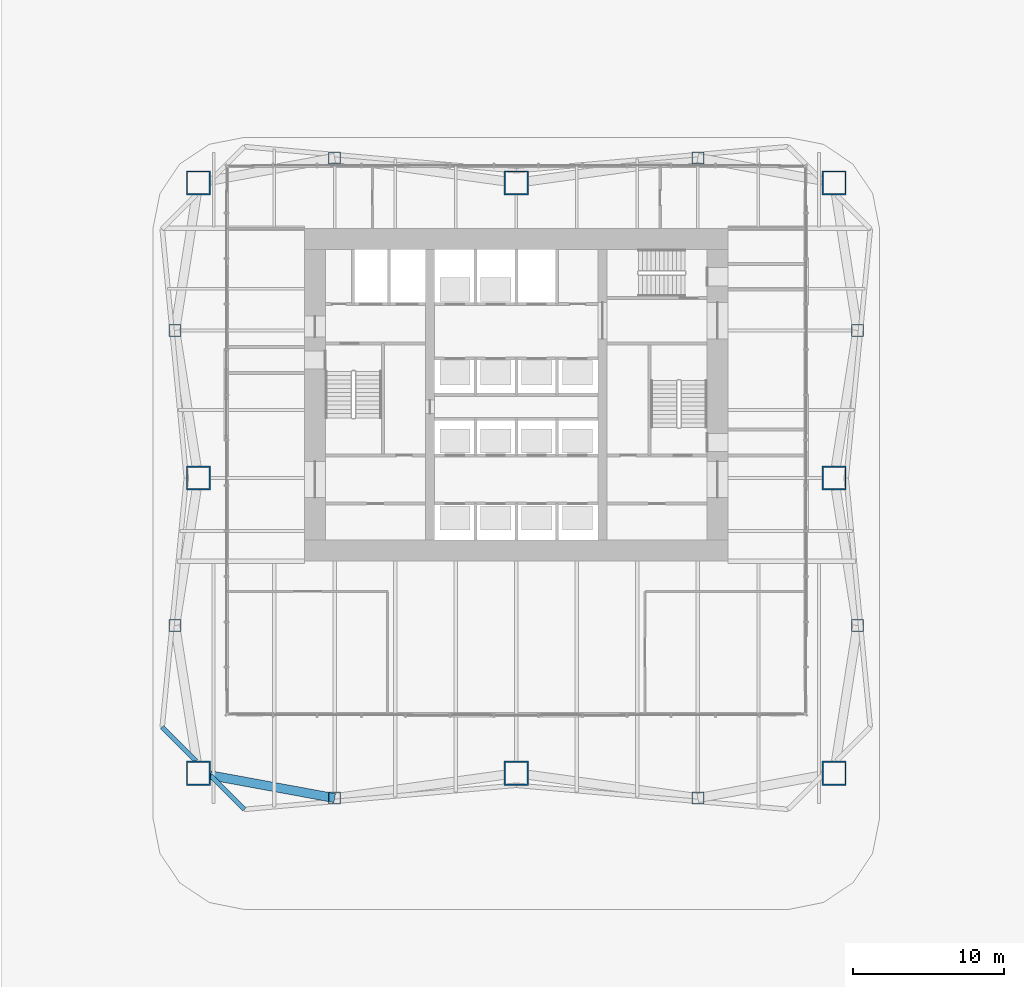
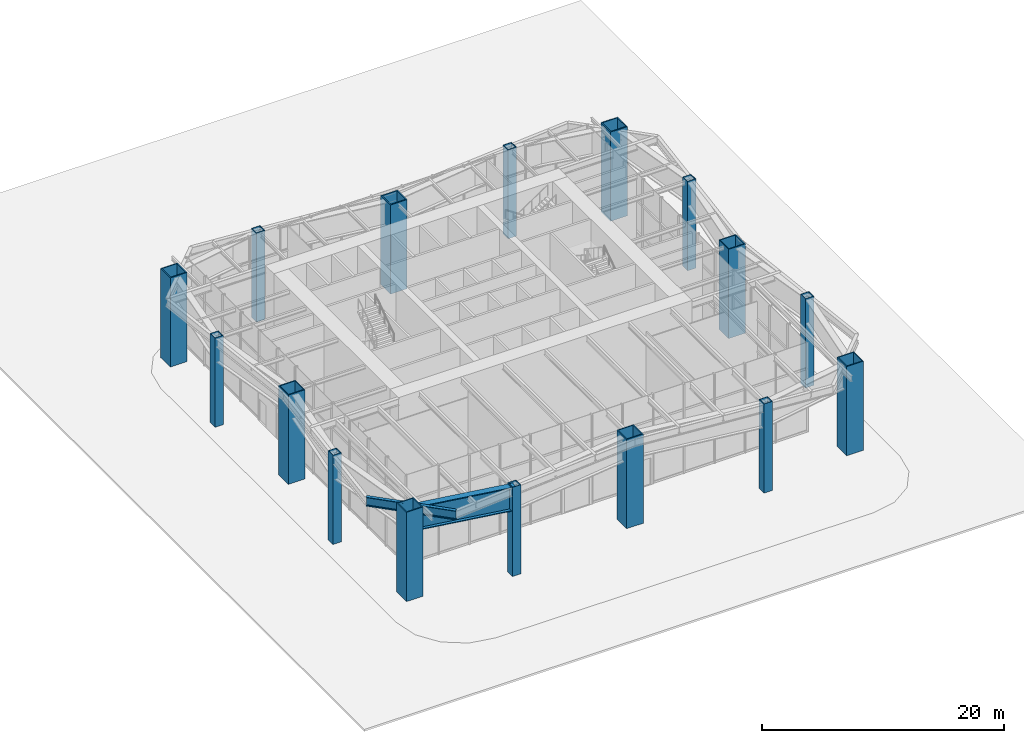
# One storey, part 1 of 13: 16 columns, 3 beams.
"""IFC4 building model written with IfcOpenShell, lengths in metres."""

from ifc_helpers import new_model, si_unit, direction, frame, origin, origin_2d, place, context, subcontext, project, spatial, hollow_rectangle, i_section, extrude, material, material_profile, profile_set, type_object, element, save


model = new_model("IFC4")

# Units and contexts
model_context = context("Model", 3, precision=1e-05, world=origin(), true_north=direction((0.0, 1.0)))
body_context = subcontext(model_context, "Body", "Model", "MODEL_VIEW")
ifc_project = project(units=[si_unit("LENGTHUNIT", "METRE"), si_unit("AREAUNIT", "SQUARE_METRE"), si_unit("VOLUMEUNIT", "CUBIC_METRE"), si_unit("PLANEANGLEUNIT", "RADIAN"), si_unit("MASSUNIT", "GRAM", prefix="KILO")], contexts=[model_context])

# Site, building, storey
site_placement = place(None, origin())
site = spatial("IfcSite", under=ifc_project, at=site_placement, CompositionType="ELEMENT")
building_placement = place(site_placement, origin())
building = spatial("IfcBuilding", under=site, at=building_placement, Name="Verdant Reach Tower", CompositionType="ELEMENT")
storey_placement = place(building_placement, origin())
storey = spatial("IfcBuildingStorey", under=building, at=storey_placement, Name="G", CompositionType="ELEMENT", Elevation=0.0)

# Columns
ifc_material_1 = material(Name="Steel S460", Category="steel")
ifc_material_profile_1 = material_profile(ifc_material_1, hollow_rectangle(XDim=1.60009765625, YDim=1.60009765625, WallThickness=0.090087890625, at=origin_2d()), Name="WB 1600x1600x90")
ifc_profile_set_1 = profile_set([ifc_material_profile_1], Name="Steel S460")
column_type_1 = type_object("IfcColumnType", Name="ST-COL-WB1600x1600x90", PredefinedType="COLUMN", material=ifc_profile_set_1)
for number, where, z_axis, x_axis, name in (
    (1, (-21.0, 42.0, 0.0), (0.0, 0.0, 1.0), (1.0, 0.0, 0.0), "Mega column north-west, G"),
    (2, (0.0, 42.0, 0.0), (0.0, 0.0, 1.0), (1.0, 0.0, 0.0), "Mega column north, G"),
    (3, (21.0, 42.0, 0.0), (0.0, 0.0, 1.0), (1.0, 0.0, 0.0), "Mega column north-east, G"),
    (4, (21.0, 22.5, 0.0), (0.0, 0.0, 1.0), (1.0, 0.0, 0.0), "Mega column east, G"),
    (5, (21.0, 3.0, 0.0), (0.0, 0.0, 1.0), (1.0, 0.0, 0.0), "Mega column south-east, G"),
    (6, (0.0, 3.0, 0.0), (0.0, 0.0, 1.0), (1.0, 0.0, 0.0), "Mega column south, G"),
    (7, (-21.0, 3.0, 0.0), (0.0, 0.0, 1.0), (1.0, 0.0, 0.0), "Mega column south-west, G"),
    (8, (-21.0, 22.5, 0.0), (0.0, 0.0, 1.0), (1.0, 0.0, 0.0), "Mega column west, G"),
):
    element("IfcColumn", number, at=place(storey_placement, frame(where, z_axis=z_axis, x_axis=x_axis)), inside=storey, type_object=column_type_1, Name=name, PredefinedType="COLUMN", context=body_context, shape_type="SweptSolid", body=[
        extrude(hollow_rectangle(XDim=1.60009765625, YDim=1.60009765625, WallThickness=0.090087890625, at=origin_2d()), origin(), (0.0, 0.0, 1.0), 9.0),
    ])
ifc_material_profile_2 = material_profile(ifc_material_1, hollow_rectangle(XDim=0.800048828125, YDim=0.800048828125, WallThickness=0.0400390625, at=origin_2d()), Name="WB 800x800x40")
ifc_profile_set_2 = profile_set([ifc_material_profile_2], Name="Steel S460")
column_type_2 = type_object("IfcColumnType", Name="ST-COL-WB800x800x40", PredefinedType="COLUMN", material=ifc_profile_set_2)
for number, where, z_axis, x_axis, name in (
    (9, (-12.0, 43.64990234375, 0.0), (0.0, 0.0, 1.0), (1.0, 0.0, 0.0), "Perimeter column north 1, G"),
    (10, (12.0, 43.64990234375, 0.0), (0.0, 0.0, 1.0), (1.0, 0.0, 0.0), "Perimeter column north 2, G"),
    (11, (-12.0, 1.35009765625, 0.0), (0.0, 0.0, 1.0), (1.0, 0.0, 0.0), "Perimeter column south 1, G"),
    (12, (12.0, 1.35009765625, 0.0), (0.0, 0.0, 1.0), (1.0, 0.0, 0.0), "Perimeter column south 2, G"),
    (13, (22.536376953125, 12.75, 0.0), (0.0, 0.0, 1.0), (1.0, 0.0, 0.0), "Perimeter column east 1, G"),
    (14, (22.536376953125, 32.25, 0.0), (0.0, 0.0, 1.0), (1.0, 0.0, 0.0), "Perimeter column east 2, G"),
    (15, (-22.536376953125, 12.75, 0.0), (0.0, 0.0, 1.0), (1.0, 0.0, 0.0), "Perimeter column west 1, G"),
    (16, (-22.536376953125, 32.25, 0.0), (0.0, 0.0, 1.0), (1.0, 0.0, 0.0), "Perimeter column west 2, G"),
):
    element("IfcColumn", number, at=place(storey_placement, frame(where, z_axis=z_axis, x_axis=x_axis)), inside=storey, type_object=column_type_2, Name=name, PredefinedType="COLUMN", context=body_context, shape_type="SweptSolid", body=[
        extrude(hollow_rectangle(XDim=0.800048828125, YDim=0.800048828125, WallThickness=0.0400390625, at=origin_2d()), origin(), (0.0, 0.0, 1.0), 9.0),
    ])

# Beams
ifc_material_2 = material(Name="Steel S355", Category="steel")
ifc_material_profile_3 = material_profile(ifc_material_2, i_section(OverallWidth=0.60009765625, OverallDepth=2.39990234375, WebThickness=0.0400390625, FlangeThickness=0.080078125, at=origin_2d()), Name="PG 2400x600x40x80")
ifc_profile_set_3 = profile_set([ifc_material_profile_3], Name="Steel S355")
beam_type_1 = type_object("IfcBeamType", Name="ST-BEAM-PG2400x600x40x80", PredefinedType="BEAM", material=ifc_profile_set_3)
beam_1_placement = place(storey_placement, frame((-20.213134765625, 2.855712890625, 7.669921875), z_axis=(0.983609236735, -0.180313253558, 0.0), x_axis=(0.180313253558, 0.983609236735, 0.0)))
element("IfcBeam", 17, at=beam_1_placement, inside=storey, type_object=beam_type_1, Name="Transfer girder south 5, ground storey", PredefinedType="BEAM", context=body_context, shape_type="SweptSolid", body=[
    extrude(i_section(OverallWidth=0.60009765625, OverallDepth=2.39990234375, WebThickness=0.0400390625, FlangeThickness=0.080078125, at=origin_2d()), origin(), (0.0, 0.0, 1.0), 8.35009765625),
])
ifc_material_profile_4 = material_profile(ifc_material_2, i_section(OverallWidth=0.302001953125, OverallDepth=0.909912109375, WebThickness=0.02099609375, FlangeThickness=0.0400390625, FilletRadius=0.030029296875, at=origin_2d()), Name="HEM 900")
ifc_profile_set_4 = profile_set([ifc_material_profile_4], Name="Steel S355")
beam_type_2 = type_object("IfcBeamType", Name="ST-SPANDREL-HEM900", PredefinedType="SPANDREL", material=ifc_profile_set_4)
beam_2_placement = place(storey_placement, frame((-17.9658203125, 0.60498046875, 8.4150390625), z_axis=(-0.707222697162, 0.706990846206, 0.0), x_axis=(-0.706990846206, -0.707222697162, 0.0)))
element("IfcBeam", 18, at=beam_2_placement, inside=storey, type_object=beam_type_2, Name="Edge beam, G", PredefinedType="SPANDREL", context=body_context, shape_type="SweptSolid", body=[
    extrude(i_section(OverallWidth=0.302001953125, OverallDepth=0.909912109375, WebThickness=0.02099609375, FlangeThickness=0.0400390625, FilletRadius=0.030029296875, at=origin_2d()), origin(), (0.0, 0.0, 1.0), 3.158935546875),
])
beam_3_placement = place(storey_placement, frame((-21.161865234375, 3.800048828125, 8.4150390625), z_axis=(-0.70722277322, 0.706990770123, 0.0), x_axis=(-0.706990770123, -0.70722277322, 0.0)))
element("IfcBeam", 19, at=beam_3_placement, inside=storey, type_object=beam_type_2, Name="Edge beam, G", PredefinedType="SPANDREL", context=body_context, shape_type="SweptSolid", body=[
    extrude(i_section(OverallWidth=0.302001953125, OverallDepth=0.909912109375, WebThickness=0.02099609375, FlangeThickness=0.0400390625, FilletRadius=0.030029296875, at=origin_2d()), origin(), (0.0, 0.0, 1.0), 3.156982421875),
])

save(model, "model.ifc")
